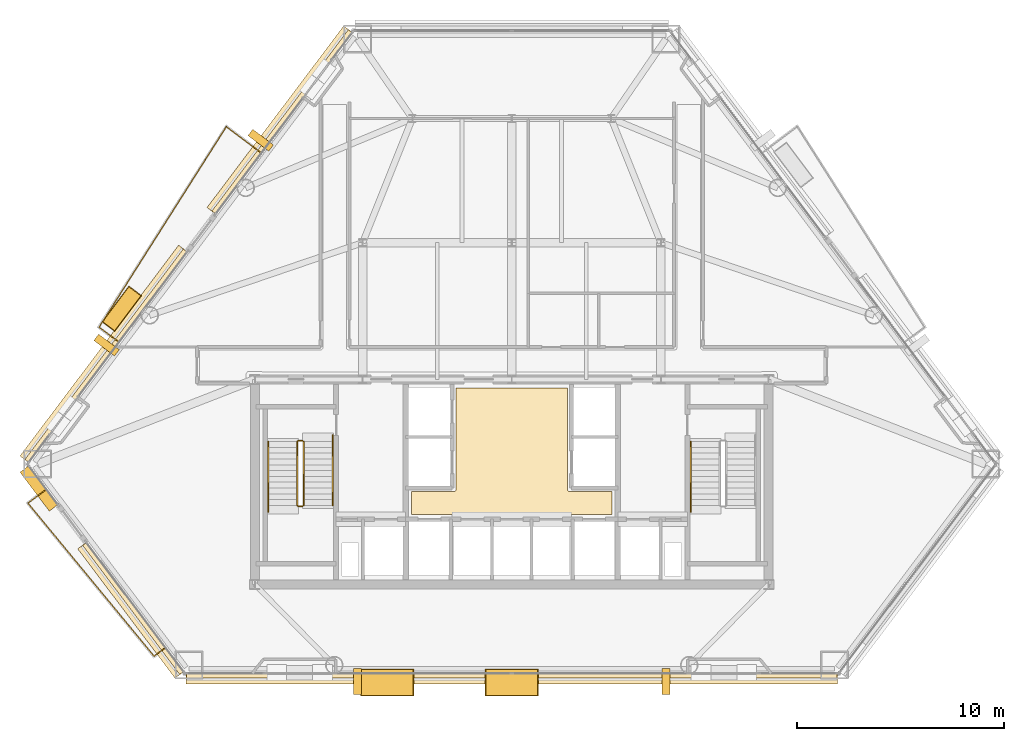
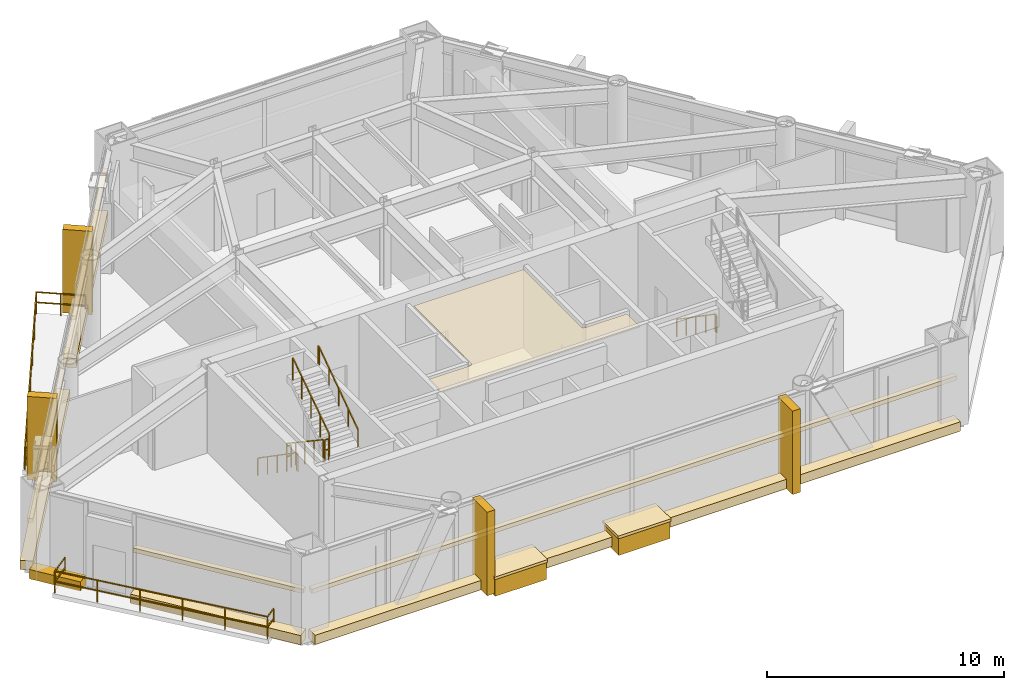
# One storey, part 9 of 10: 20 coverings, 9 railings.
"""IFC4 building model written with IfcOpenShell, lengths in metres."""

import ifcopenshell
import ifcopenshell.guid

model = None  # the IFC model being written
_history = None  # IfcOwnerHistory: only IFC2X3 demands one
_inside = {}  # id of a spatial element -> (the spatial element, [elements in it])
_under = {}  # id of a project, library or spatial element -> (it, [spatial elements below it])
_declared = {}  # id of a project -> (the project, [libraries it declares])
_typed = {}  # id of a type object -> (the type object, [elements of that type])
_made_of = {}  # id of a material, layer set ... -> (it, [elements and type objects made of it])


def new_model(schema):
    """Start an empty IFC model of exactly this schema.

    Asked for "IFC4X3", IfcOpenShell would pick the latest addendum, in which some entities
    have other attributes; the version numbers below select the first issue.
    IFC2X3 requires an IfcOwnerHistory on every rooted entity: one is made here for all.
    """
    global model, _history
    if schema == "IFC4X3":
        model = ifcopenshell.file(schema_version=(4, 3, 0, 0))
    else:
        model = ifcopenshell.file(schema=schema)
    _inside.clear()
    _under.clear()
    _declared.clear()
    _typed.clear()
    _made_of.clear()
    _history = None
    if model.schema == "IFC2X3":
        org = make("IfcOrganization", Name="unknown")
        user = make(
            "IfcPersonAndOrganization",
            ThePerson=make("IfcPerson", FamilyName="unknown"),
            TheOrganization=org,
        )
        app = make(
            "IfcApplication",
            ApplicationDeveloper=org,
            Version="unknown",
            ApplicationFullName="unknown",
            ApplicationIdentifier="unknown",
        )
        _history = make(
            "IfcOwnerHistory",
            OwningUser=user,
            OwningApplication=app,
            ChangeAction="ADDED",
            CreationDate=0,
        )
    return model


def make(cls, **values):
    """One entity of the class cls with the attributes given. An attribute that is None is left unset."""
    return model.create_entity(
        cls, **{name: value for name, value in values.items() if value is not None}
    )


def rooted(cls, **values):
    """An entity with a GlobalId (a new one), such as an element, a storey or a relation."""
    return make(cls, GlobalId=ifcopenshell.guid.new(), OwnerHistory=_history, **values)


def si_unit(unit_type, name, prefix=None):
    """IfcSIUnit, for example si_unit("LENGTHUNIT", "METRE", prefix="MILLI")."""
    return make("IfcSIUnit", UnitType=unit_type, Prefix=prefix, Name=name)


def assignment(units):
    """IfcUnitAssignment: the units of a project."""
    return None if units is None else make("IfcUnitAssignment", Units=units)


def point(xyz):
    """IfcCartesianPoint."""
    return None if xyz is None else make("IfcCartesianPoint", Coordinates=xyz)


def direction(xyz):
    """IfcDirection."""
    return None if xyz is None else make("IfcDirection", DirectionRatios=xyz)


def frame(location, z_axis=None, x_axis=None):
    """IfcAxis2Placement3D, a coordinate frame: its origin and axes. An axis left out is left unset."""
    return make(
        "IfcAxis2Placement3D",
        Location=point(location),
        Axis=direction(z_axis),
        RefDirection=direction(x_axis),
    )


def frame_2d(location, x_axis=None):
    """IfcAxis2Placement2D, a coordinate frame in the plane: its origin and x axis."""
    return make(
        "IfcAxis2Placement2D", Location=point(location), RefDirection=direction(x_axis)
    )


def origin():
    """The frame at (0, 0, 0) with its axes left unset."""
    return frame((0.0, 0.0, 0.0))


def origin_2d():
    """The frame at (0, 0) in the plane with its x axis left unset."""
    return frame_2d((0.0, 0.0))


def place(relative_to, where):
    """IfcLocalPlacement: puts the frame where relative to a parent placement (None: the world)."""
    return make(
        "IfcLocalPlacement", PlacementRelTo=relative_to, RelativePlacement=where
    )


def context(
    kind, dimensions, precision=None, world=None, true_north=None, identifier=None
):
    """IfcGeometricRepresentationContext, for example the 3D "Model" context."""
    return make(
        "IfcGeometricRepresentationContext",
        ContextIdentifier=identifier,
        ContextType=kind,
        CoordinateSpaceDimension=dimensions,
        Precision=precision,
        WorldCoordinateSystem=world,
        TrueNorth=true_north,
    )


def subcontext(parent, identifier, kind, view, scale=None):
    """IfcGeometricRepresentationSubContext, for example "Body" below "Model"."""
    return make(
        "IfcGeometricRepresentationSubContext",
        ContextIdentifier=identifier,
        ContextType=kind,
        ParentContext=parent,
        TargetScale=scale,
        TargetView=view,
    )


def project(units=None, contexts=None):
    """IfcProject with its units and contexts."""
    return rooted(
        "IfcProject",
        Name="project",
        RepresentationContexts=contexts,
        UnitsInContext=assignment(units),
    )


def spatial(cls, under=None, at=None, **own):
    """A site, building, storey or space (cls), placed at a placement, below another one or the project."""
    s = rooted(cls, ObjectPlacement=at, **own)
    if under is not None:
        _under.setdefault(under.id(), (under, []))[1].append(s)
    return s


def polyline(points):
    """IfcPolyline through the points."""
    return make("IfcPolyline", Points=[point(p) for p in points])


def profile(cls, at=None, kind="AREA", **sizes):
    """A parametric profile (cls). Its sizes go by their IFC names, for example OverallWidth=200.0."""
    return make(cls, ProfileType=kind, Position=at, **sizes)


def rectangle(**sizes):
    """IfcRectangleProfileDef."""
    return profile("IfcRectangleProfileDef", **sizes)


def outline(outer, holes=None, kind="AREA"):
    """IfcArbitraryClosedProfileDef: a profile drawn as a closed curve; with holes, ...WithVoids."""
    if holes is None:
        return make("IfcArbitraryClosedProfileDef", ProfileType=kind, OuterCurve=outer)
    return make(
        "IfcArbitraryProfileDefWithVoids",
        ProfileType=kind,
        OuterCurve=outer,
        InnerCurves=holes,
    )


def extrude(swept, where, along, depth):
    """IfcExtrudedAreaSolid: the profile swept, set in the frame where, extruded along a direction by depth."""
    return make(
        "IfcExtrudedAreaSolid",
        SweptArea=swept,
        Position=where,
        ExtrudedDirection=direction(along),
        Depth=depth,
    )


def shape(context_of_items, identifier, shape_type, items):
    """IfcShapeRepresentation: the items that make up one representation, for example the "Body"."""
    return make(
        "IfcShapeRepresentation",
        ContextOfItems=context_of_items,
        RepresentationIdentifier=identifier,
        RepresentationType=shape_type,
        Items=items,
    )


def material(Name=None, Category=None):
    """IfcMaterial."""
    return make("IfcMaterial", Name=Name, Category=Category)


def layer(
    of_material, thickness, ventilated=None, Name=None, Category=None, Priority=None
):
    """IfcMaterialLayer: one layer of a wall or slab, of a material (None: an air gap)."""
    return make(
        "IfcMaterialLayer",
        Material=of_material,
        LayerThickness=thickness,
        IsVentilated=ventilated,
        Name=Name,
        Category=Category,
        Priority=Priority,
    )


def layer_set(layers, Name=None):
    """IfcMaterialLayerSet."""
    return make("IfcMaterialLayerSet", MaterialLayers=layers, LayerSetName=Name)


def made_of(thing, what):
    """Note that an element or type object is made of a material, layer set ...; save() writes the relation."""
    if what is not None:
        _made_of.setdefault(what.id(), (what, []))[1].append(thing)
    return thing


def type_object(cls, material=None, **own):
    """A type object (cls), such as IfcWallType, which elements share."""
    return made_of(rooted(cls, **own), material)


def element(
    cls,
    number,
    at=None,
    inside=None,
    cuts=None,
    type_object=None,
    material=None,
    context=None,
    identifier="Body",
    shape_type=None,
    held_by="IfcProductDefinitionShape",
    body=None,
    shapes=None,
    **own,
):
    """One element of the class cls, such as IfcWall. Its Tag is "e" and its number.

    at: its placement. inside: the storey or other place that contains it. cuts: it is an
    opening in that element (IfcRelVoidsElement). A single representation is given by context,
    identifier, shape_type and body (its items); several are given by shapes. held_by: the class
    of the entity that holds the representations. save() writes the other relations.
    """
    e = rooted(cls, Tag="e%d" % number, ObjectPlacement=at, **own)
    if body is not None:
        shapes = [shape(context, identifier, shape_type, body)]
    if shapes is not None:
        e.Representation = make(held_by, Representations=shapes)
    if inside is not None:
        _inside.setdefault(inside.id(), (inside, []))[1].append(e)
    if cuts is not None:
        rooted(
            "IfcRelVoidsElement", RelatingBuildingElement=cuts, RelatedOpeningElement=e
        )
    if type_object is not None:
        _typed.setdefault(type_object.id(), (type_object, []))[1].append(e)
    return made_of(e, material)


def aggregate(whole, parts):
    """IfcRelAggregates: a whole, such as a stair, and the parts it consists of."""
    return rooted("IfcRelAggregates", RelatingObject=whole, RelatedObjects=parts)


def save(model, path):
    """Write the relations noted so far, then the file.

    IfcRelAggregates (storeys below a building ...), IfcRelContainedInSpatialStructure (elements
    in a storey), IfcRelDefinesByType, IfcRelAssociatesMaterial and IfcRelDeclares: one each for
    every whole, place, type object, material and project.
    """
    for whole, parts in _under.values():
        aggregate(whole, parts)
    for where, things in _inside.values():
        rooted(
            "IfcRelContainedInSpatialStructure",
            RelatedElements=things,
            RelatingStructure=where,
        )
    for kind, things in _typed.values():
        rooted("IfcRelDefinesByType", RelatedObjects=things, RelatingType=kind)
    for what, things in _made_of.values():
        rooted("IfcRelAssociatesMaterial", RelatedObjects=things, RelatingMaterial=what)
    for by, libraries in _declared.values():
        rooted("IfcRelDeclares", RelatingContext=by, RelatedDefinitions=libraries)
    model.write(path)


model = new_model("IFC4")

# Units and contexts
model_context = context("Model", 3, precision=1e-05, world=origin(), true_north=direction((0.0, 1.0)))
body_context = subcontext(model_context, "Body", "Model", "MODEL_VIEW")
ifc_project = project(units=[si_unit("LENGTHUNIT", "METRE"), si_unit("AREAUNIT", "SQUARE_METRE"), si_unit("VOLUMEUNIT", "CUBIC_METRE"), si_unit("PLANEANGLEUNIT", "RADIAN"), si_unit("MASSUNIT", "GRAM", prefix="KILO")], contexts=[model_context])

# Site, building, storey
site_placement = place(None, origin())
site = spatial("IfcSite", under=ifc_project, at=site_placement, CompositionType="ELEMENT")
building_placement = place(site_placement, origin())
building = spatial("IfcBuilding", under=site, at=building_placement, Name="Talgorran Terracotta Tower", CompositionType="ELEMENT")
storey_placement = place(building_placement, frame((0.0, 0.0, 60.300048828125)))
storey = spatial("IfcBuildingStorey", under=building, at=storey_placement, Name="L15", CompositionType="ELEMENT", Elevation=60.300048828125)

# Coverings
ifc_material_1 = material(Name="Kiln-Fired Terracotta Ochre Ceramic", Category="masonry")
ifc_layer_1 = layer(ifc_material_1, 0.179931640625, Name="COV_BAGUETTE_TERRACOTTA_SCREEN")
ifc_layer_set_1 = layer_set([ifc_layer_1], Name="Kiln-Fired Terracotta Ochre Ceramic")
covering_type_1 = type_object("IfcCoveringType", Name="COV_BAGUETTE_TERRACOTTA_SCREEN", PredefinedType="CLADDING", material=ifc_layer_set_1)
covering_1_placement = place(storey_placement, frame((-18.27001953125, -15.248779296875, 2.41015625), z_axis=(0.0, 0.0, 1.0), x_axis=(0.601438608227, -0.79891902001, 0.0)))
element("IfcCovering", 1, at=covering_1_placement, inside=storey, type_object=covering_type_1, Name="L15 Terracotta Baguette Solar Screen Assembly F11", PredefinedType="CLADDING", context=body_context, shape_type="SweptSolid", body=[
    extrude(rectangle(XDim=7.796875, YDim=0.260009765625, at=origin_2d()), origin(), (0.0, 0.0, 1.0), 0.219970703125),
])
covering_2_placement = place(storey_placement, frame((0.0, -18.4912109375, 2.41015625), z_axis=(0.0, 0.0, 1.0), x_axis=(1.0, 0.0, 0.0)))
element("IfcCovering", 2, at=covering_2_placement, inside=storey, type_object=covering_type_1, Name="L15 Terracotta Baguette Solar Screen Assembly F1", PredefinedType="CLADDING", context=body_context, shape_type="SweptSolid", body=[
    extrude(rectangle(XDim=31.418212890625, YDim=0.260009765625, at=origin_2d()), origin(), (0.0, 0.0, 1.0), 0.219970703125),
])
covering_3_placement = place(storey_placement, frame((-11.076904296875, 8.230224609375, 2.41015625), z_axis=(0.0, 0.0, 1.0), x_axis=(-0.601438608227, -0.79891902001, 0.0)))
element("IfcCovering", 3, at=covering_3_placement, inside=storey, type_object=covering_type_1, Name="L15 Terracotta Baguette Solar Screen Assembly F60", PredefinedType="CLADDING", context=body_context, shape_type="SweptSolid", body=[
    extrude(rectangle(XDim=10.952880859375, YDim=0.260009765625, at=origin_2d()), origin(), (0.0, 0.0, 1.0), 0.219970703125),
])
covering_4_placement = place(storey_placement, frame((-19.576904296875, -3.060546875, 2.41015625), z_axis=(0.0, 0.0, 1.0), x_axis=(-0.601438608227, -0.79891902001, 0.0)))
element("IfcCovering", 4, at=covering_4_placement, inside=storey, type_object=covering_type_1, Name="L15 Terracotta Baguette Solar Screen Assembly F61", PredefinedType="CLADDING", context=body_context, shape_type="SweptSolid", body=[
    extrude(rectangle(XDim=12.712158203125, YDim=0.260009765625, at=origin_2d()), origin(), (0.0, 0.0, 1.0), 0.219970703125),
])
ifc_material_2 = material(Name="Flush Moisture-Resistant Plaster")
ifc_layer_2 = layer(ifc_material_2, 0.01806640625, Name="COV_CEIL_PLASTER")
ifc_layer_set_2 = layer_set([ifc_layer_2], Name="Flush Moisture-Resistant Plaster")
covering_type_2 = type_object("IfcCoveringType", Name="COV_CEIL_PLASTER", PredefinedType="CEILING", material=ifc_layer_set_2)
covering_5_placement = place(storey_placement, frame((0.0, 0.0, 4.159912109375)))
element("IfcCovering", 5, at=covering_5_placement, inside=storey, type_object=covering_type_2, Name="CEIL-L15-1", PredefinedType="CEILING", context=body_context, shape_type="SweptSolid", body=[
    extrude(outline(polyline([(-4.830078125, -9.6201171875), (-2.800048828125, -9.6201171875), (-2.7880859375, -9.619384765625), (-2.776611328125, -9.61767578125), (-2.76513671875, -9.61474609375), (-2.754150390625, -9.61083984375), (-2.743408203125, -9.605712890625), (-2.7333984375, -9.599853515625), (-2.723876953125, -9.5927734375), (-2.715087890625, -9.5849609375), (-2.707275390625, -9.576171875), (-2.7001953125, -9.566650390625), (-2.694091796875, -9.556640625), (-2.689208984375, -9.5458984375), (-2.685302734375, -9.534912109375), (-2.682373046875, -9.5234375), (-2.6806640625, -9.51171875), (-2.679931640625, -9.5), (-2.679931640625, -4.6201171875), (2.679931640625, -4.6201171875), (2.679931640625, -9.5), (2.6806640625, -9.51171875), (2.682373046875, -9.5234375), (2.685302734375, -9.534912109375), (2.689208984375, -9.5458984375), (2.694091796875, -9.556640625), (2.7001953125, -9.566650390625), (2.707275390625, -9.576171875), (2.715087890625, -9.5849609375), (2.723876953125, -9.5927734375), (2.7333984375, -9.599853515625), (2.743408203125, -9.605712890625), (2.754150390625, -9.61083984375), (2.76513671875, -9.61474609375), (2.776611328125, -9.61767578125), (2.7880859375, -9.619384765625), (2.800048828125, -9.6201171875), (4.830078125, -9.6201171875), (4.830078125, -10.72998046875), (-4.830078125, -10.72998046875), (-4.830078125, -9.6201171875)])), origin(), (0.0, 0.0, 1.0), 0.02001953125),
])
ifc_material_3 = material(Name="Honed Limestone and Terracotta Planter", Category="masonry")
ifc_layer_3 = layer(ifc_material_3, 0.1201171875, Name="COV_PLANTER_BOX")
ifc_layer_set_3 = layer_set([ifc_layer_3], Name="Honed Limestone and Terracotta Planter")
covering_type_3 = type_object("IfcCoveringType", Name="COV_PLANTER_BOX", PredefinedType="CLADDING", material=ifc_layer_set_3)
for number, where, z_axis, x_axis, name in (
    (6, (-6.018798828125, -18.8310546875, -0.179931640625), (0.0, 0.0, 1.0), (1.0, 0.0, 0.0), "L15 Staggered South Facade Planter Box 1"),
    (7, (0.0, -18.8310546875, -0.179931640625), (0.0, 0.0, 1.0), (1.0, 0.0, 0.0), "L15 Staggered South Facade Planter Box 2"),
):
    element("IfcCovering", number, at=place(storey_placement, frame(where, z_axis=z_axis, x_axis=x_axis)), inside=storey, type_object=covering_type_3, Name=name, PredefinedType="CLADDING", context=body_context, shape_type="SweptSolid", body=[
        extrude(rectangle(XDim=2.5, YDim=1.25, at=origin_2d()), origin(), (0.0, 0.0, 1.0), 0.919921875),
    ])
covering_6_placement = place(storey_placement, frame((-18.828369140625, -0.785888671875, -0.02001953125), z_axis=(0.0, 0.0, 1.0), x_axis=(-0.601438608227, -0.79891902001, 0.0)))
element("IfcCovering", 8, at=covering_6_placement, inside=storey, type_object=covering_type_3, Name="L15 Staggered Balcony Planter Box BAL-NW", PredefinedType="CLADDING", context=body_context, shape_type="SweptSolid", body=[
    extrude(rectangle(XDim=2.10009765625, YDim=0.719970703125, at=origin_2d()), origin(), (0.0, 0.0, 1.0), 0.860107421875),
])
ifc_material_4 = material(Name="Kiln-Fired Terracotta Planter Rim", Category="masonry")
ifc_layer_4 = layer(ifc_material_4, 0.10009765625, Name="COV_PLANTER_RIM")
ifc_layer_set_4 = layer_set([ifc_layer_4], Name="Kiln-Fired Terracotta Planter Rim")
covering_type_4 = type_object("IfcCoveringType", Name="COV_PLANTER_RIM", PredefinedType="CLADDING", material=ifc_layer_set_4)
for number, where, z_axis, x_axis, name in (
    (9, (-6.018798828125, -18.8310546875, 0.7099609375), (0.0, 0.0, 1.0), (1.0, 0.0, 0.0), "L15 South Planter Terracotta Rim 1"),
    (10, (0.0, -18.8310546875, 0.7099609375), (0.0, 0.0, 1.0), (1.0, 0.0, 0.0), "L15 South Planter Terracotta Rim 2"),
):
    element("IfcCovering", number, at=place(storey_placement, frame(where, z_axis=z_axis, x_axis=x_axis)), inside=storey, type_object=covering_type_4, Name=name, PredefinedType="CLADDING", context=body_context, shape_type="SweptSolid", body=[
        extrude(rectangle(XDim=2.580078125, YDim=1.320068359375, at=origin_2d()), origin(), (0.0, 0.0, 1.0), 0.139892578125),
    ])
covering_7_placement = place(storey_placement, frame((-18.828369140625, -0.785888671875, 0.7998046875), z_axis=(0.0, 0.0, 1.0), x_axis=(-0.601438608227, -0.79891902001, 0.0)))
element("IfcCovering", 11, at=covering_7_placement, inside=storey, type_object=covering_type_4, Name="L15 Balcony Planter Terracotta Rim BAL-NW", PredefinedType="CLADDING", context=body_context, shape_type="SweptSolid", body=[
    extrude(rectangle(XDim=2.179931640625, YDim=0.780029296875, at=origin_2d()), origin(), (0.0, 0.0, 1.0), 0.1201171875),
])
ifc_material_5 = material(Name="Honed Limestone Cladding", Category="masonry")
ifc_layer_5 = layer(ifc_material_5, 0.094970703125, Name="COV_PORTAL_LIME")
ifc_layer_set_5 = layer_set([ifc_layer_5], Name="Honed Limestone Cladding")
covering_type_5 = type_object("IfcCoveringType", Name="COV_PORTAL_LIME", PredefinedType="CLADDING", material=ifc_layer_set_5)
for number, where, z_axis, x_axis, name in (
    (12, (-7.4443359375, -18.791015625, -0.05029296875), (0.0, 0.0, 1.0), (1.0, 0.0, 0.0), "L15 White Striped Portal Fin F1-1"),
    (13, (-12.1181640625, 7.34619140625, -0.05029296875), (0.0, 0.0, 1.0), (-0.601438608227, -0.79891902001, 0.0), "L15 White Striped Portal Fin F5-1"),
):
    element("IfcCovering", number, at=place(storey_placement, frame(where, z_axis=z_axis, x_axis=x_axis)), inside=storey, type_object=covering_type_5, Name=name, PredefinedType="CLADDING", context=body_context, shape_type="SweptSolid", body=[
        extrude(rectangle(XDim=0.3798828125, YDim=1.25, at=origin_2d()), origin(), (0.0, 0.0, 1.0), 4.300048828125),
    ])
ifc_material_6 = material(Name="Kiln-Fired Terracotta Cladding", Category="masonry")
ifc_layer_6 = layer(ifc_material_6, 0.090087890625, Name="COV_PORTAL_TERRA")
ifc_layer_set_6 = layer_set([ifc_layer_6], Name="Kiln-Fired Terracotta Cladding")
covering_type_6 = type_object("IfcCoveringType", Name="COV_PORTAL_TERRA", PredefinedType="CLADDING", material=ifc_layer_set_6)
covering_8_placement = place(storey_placement, frame((-22.810546875, -9.449951171875, -0.0400390625), z_axis=(0.0, 0.0, 1.0), x_axis=(0.601438608227, -0.79891902001, 0.0)))
element("IfcCovering", 14, at=covering_8_placement, inside=storey, type_object=covering_type_6, Name="L15 Striped Postmodern Portal Cladding Band F10", PredefinedType="CLADDING", context=body_context, shape_type="SweptSolid", body=[
    extrude(rectangle(XDim=2.3505859375, YDim=0.56005859375, at=origin_2d()), origin(), (0.0, 0.0, 1.0), 0.47998046875),
])
covering_9_placement = place(storey_placement, frame((-18.381591796875, -15.3330078125, -0.0400390625), z_axis=(0.0, 0.0, 1.0), x_axis=(0.601438608227, -0.79891902001, 0.0)))
element("IfcCovering", 15, at=covering_9_placement, inside=storey, type_object=covering_type_6, Name="L15 Striped Postmodern Portal Cladding Band F11", PredefinedType="CLADDING", context=body_context, shape_type="SweptSolid", body=[
    extrude(rectangle(XDim=7.81689453125, YDim=0.56005859375, at=origin_2d()), origin(), (0.0, 0.0, 1.0), 0.47998046875),
])
covering_10_placement = place(storey_placement, frame((0.0, -18.631103515625, -0.0400390625), z_axis=(0.0, 0.0, 1.0), x_axis=(1.0, 0.0, 0.0)))
element("IfcCovering", 16, at=covering_10_placement, inside=storey, type_object=covering_type_6, Name="L15 Striped Postmodern Portal Cladding Band F1", PredefinedType="CLADDING", context=body_context, shape_type="SweptSolid", body=[
    extrude(rectangle(XDim=31.438232421875, YDim=0.56005859375, at=origin_2d()), origin(), (0.0, 0.0, 1.0), 0.47998046875),
])
covering_11_placement = place(storey_placement, frame((-11.18896484375, 8.314453125, -0.0400390625), z_axis=(0.0, 0.0, 1.0), x_axis=(-0.601438608227, -0.79891902001, 0.0)))
element("IfcCovering", 17, at=covering_11_placement, inside=storey, type_object=covering_type_6, Name="L15 Striped Postmodern Portal Cladding Band F60", PredefinedType="CLADDING", context=body_context, shape_type="SweptSolid", body=[
    extrude(rectangle(XDim=10.972900390625, YDim=0.56005859375, at=origin_2d()), origin(), (0.0, 0.0, 1.0), 0.47998046875),
])
covering_12_placement = place(storey_placement, frame((-19.688720703125, -2.976318359375, -0.0400390625), z_axis=(0.0, 0.0, 1.0), x_axis=(-0.601438608227, -0.79891902001, 0.0)))
element("IfcCovering", 18, at=covering_12_placement, inside=storey, type_object=covering_type_6, Name="L15 Striped Postmodern Portal Cladding Band F61", PredefinedType="CLADDING", context=body_context, shape_type="SweptSolid", body=[
    extrude(rectangle(XDim=12.732177734375, YDim=0.56005859375, at=origin_2d()), origin(), (0.0, 0.0, 1.0), 0.47998046875),
])
for number, where, z_axis, x_axis, name in (
    (19, (7.4443359375, -18.791015625, -0.05029296875), (0.0, 0.0, 1.0), (1.0, 0.0, 0.0), "L15 Terracotta Striped Portal Fin F1-2"),
    (20, (-19.5625, -2.54248046875, -0.05029296875), (0.0, 0.0, 1.0), (-0.601438608227, -0.79891902001, 0.0), "L15 Terracotta Striped Portal Fin F5-2"),
):
    element("IfcCovering", number, at=place(storey_placement, frame(where, z_axis=z_axis, x_axis=x_axis)), inside=storey, type_object=covering_type_6, Name=name, PredefinedType="CLADDING", context=body_context, shape_type="SweptSolid", body=[
        extrude(rectangle(XDim=0.3798828125, YDim=1.25, at=origin_2d()), origin(), (0.0, 0.0, 1.0), 4.300048828125),
    ])

# Railings
ifc_material_7 = material(Name="Laminated Glass and Stainless Steel 316", Category="steel")
railing_type_1 = type_object("IfcRailingType", Name="RL_BALCONY_1150", PredefinedType="BALUSTRADE", material=ifc_material_7)
railing_1_placement = place(storey_placement, frame((-12.100341796875, 6.738037109375, 0.0)))
element("IfcRailing", 21, at=railing_1_placement, inside=storey, type_object=railing_type_1, Name="RL-L15-BAL-BAL-NW", PredefinedType="BALUSTRADE", context=body_context, shape_type="SweptSolid", body=[
    extrude(rectangle(XDim=0.048095703125, YDim=0.048095703125, at=origin_2d()), frame((0.0, 0.0, 1.1259765625), z_axis=(-0.798925901042, 0.601429467722, 0.0), x_axis=(-0.601429467722, -0.798925901042, 0.0)), (0.0, 0.0, 1.0), 2.102783203125),
    extrude(rectangle(XDim=0.048095703125, YDim=0.048095703125, at=origin_2d()), frame((0.0, 0.0, 0.597900390625), z_axis=(-0.798925901042, 0.601429467722, 0.0), x_axis=(-0.601429467722, -0.798925901042, 0.0)), (0.0, 0.0, 1.0), 2.102783203125),
    extrude(rectangle(XDim=0.048095703125, YDim=0.048095703125, at=origin_2d()), frame((-1.679931640625, 1.2646484375, 1.1259765625), z_axis=(-0.535725754027, -0.84439203956, 0.0), x_axis=(0.84439203956, -0.535725754027, 0.0)), (0.0, 0.0, 1.0), 11.464111328125),
    extrude(rectangle(XDim=0.048095703125, YDim=0.048095703125, at=origin_2d()), frame((-1.679931640625, 1.2646484375, 0.597900390625), z_axis=(-0.535725754027, -0.84439203956, 0.0), x_axis=(0.84439203956, -0.535725754027, 0.0)), (0.0, 0.0, 1.0), 11.464111328125),
    extrude(rectangle(XDim=0.048095703125, YDim=0.048095703125, at=origin_2d()), frame((-7.821533203125, -8.41552734375, 1.1259765625), z_axis=(0.798962581656, -0.601380738895, 0.0), x_axis=(0.601380738895, 0.798962581656, 0.0)), (0.0, 0.0, 1.0), 1.1875),
    extrude(rectangle(XDim=0.048095703125, YDim=0.048095703125, at=origin_2d()), frame((-7.821533203125, -8.41552734375, 0.597900390625), z_axis=(0.798962581656, -0.601380738895, 0.0), x_axis=(0.601380738895, 0.798962581656, 0.0)), (0.0, 0.0, 1.0), 1.1875),
    extrude(rectangle(XDim=0.0419921875, YDim=0.0419921875, at=origin_2d()), origin(), (0.0, 0.0, 1.0), 1.101806640625),
    extrude(rectangle(XDim=0.0419921875, YDim=0.0419921875, at=origin_2d()), frame((-0.83984375, 0.63232421875, 0.0)), (0.0, 0.0, 1.0), 1.101806640625),
    extrude(rectangle(XDim=0.0419921875, YDim=0.0419921875, at=origin_2d()), frame((-1.679931640625, 1.2646484375, 0.0)), (0.0, 0.0, 1.0), 1.101806640625),
    extrude(rectangle(XDim=0.0419921875, YDim=0.0419921875, at=origin_2d()), frame((-2.70361328125, -0.3486328125, 0.0)), (0.0, 0.0, 1.0), 1.101806640625),
    extrude(rectangle(XDim=0.0419921875, YDim=0.0419921875, at=origin_2d()), frame((-3.72705078125, -1.962158203125, 0.0)), (0.0, 0.0, 1.0), 1.101806640625),
    extrude(rectangle(XDim=0.0419921875, YDim=0.0419921875, at=origin_2d()), frame((-4.750732421875, -3.575439453125, 0.0)), (0.0, 0.0, 1.0), 1.101806640625),
    extrude(rectangle(XDim=0.0419921875, YDim=0.0419921875, at=origin_2d()), frame((-5.7744140625, -5.188720703125, 0.0)), (0.0, 0.0, 1.0), 1.101806640625),
    extrude(rectangle(XDim=0.0419921875, YDim=0.0419921875, at=origin_2d()), frame((-6.7978515625, -6.80224609375, 0.0)), (0.0, 0.0, 1.0), 1.101806640625),
    extrude(rectangle(XDim=0.0419921875, YDim=0.0419921875, at=origin_2d()), frame((-7.821533203125, -8.41552734375, 0.0)), (0.0, 0.0, 1.0), 1.101806640625),
    extrude(rectangle(XDim=0.0419921875, YDim=0.0419921875, at=origin_2d()), frame((-6.872802734375, -9.129638671875, 0.0)), (0.0, 0.0, 1.0), 1.101806640625),
])
railing_2_placement = place(storey_placement, frame((-22.484619140625, -9.517333984375, 0.0)))
element("IfcRailing", 22, at=railing_2_placement, inside=storey, type_object=railing_type_1, Name="RL-L15-BAL-BAL-SW", PredefinedType="BALUSTRADE", context=body_context, shape_type="SweptSolid", body=[
    extrude(rectangle(XDim=0.048095703125, YDim=0.048095703125, at=origin_2d()), frame((0.0, 0.0, 1.1259765625), z_axis=(-0.798899808194, -0.601464127332, 0.0), x_axis=(0.601464127332, -0.798899808194, 0.0)), (0.0, 0.0, 1.0), 1.093017578125),
    extrude(rectangle(XDim=0.048095703125, YDim=0.048095703125, at=origin_2d()), frame((0.0, 0.0, 0.597900390625), z_axis=(-0.798899808194, -0.601464127332, 0.0), x_axis=(0.601464127332, -0.798899808194, 0.0)), (0.0, 0.0, 1.0), 1.093017578125),
    extrude(rectangle(XDim=0.048095703125, YDim=0.048095703125, at=origin_2d()), frame((-0.873291015625, -0.657470703125, 1.1259765625), z_axis=(0.6361128853, -0.771596006441, 0.0), x_axis=(0.771596006441, 0.6361128853, 0.0)), (0.0, 0.0, 1.0), 9.575927734375),
    extrude(rectangle(XDim=0.048095703125, YDim=0.048095703125, at=origin_2d()), frame((-0.873291015625, -0.657470703125, 0.597900390625), z_axis=(0.6361128853, -0.771596006441, 0.0), x_axis=(0.771596006441, 0.6361128853, 0.0)), (0.0, 0.0, 1.0), 9.575927734375),
    extrude(rectangle(XDim=0.048095703125, YDim=0.048095703125, at=origin_2d()), frame((5.218017578125, -8.046142578125, 1.1259765625), z_axis=(0.798862535449, 0.601513631979, 0.0), x_axis=(-0.601513631979, 0.798862535449, 0.0)), (0.0, 0.0, 1.0), 0.67041015625),
    extrude(rectangle(XDim=0.048095703125, YDim=0.048095703125, at=origin_2d()), frame((5.218017578125, -8.046142578125, 0.597900390625), z_axis=(0.798862535449, 0.601513631979, 0.0), x_axis=(-0.601513631979, 0.798862535449, 0.0)), (0.0, 0.0, 1.0), 0.67041015625),
    extrude(rectangle(XDim=0.0419921875, YDim=0.0419921875, at=origin_2d()), origin(), (0.0, 0.0, 1.0), 1.101806640625),
    extrude(rectangle(XDim=0.0419921875, YDim=0.0419921875, at=origin_2d()), frame((-0.873291015625, -0.657470703125, 0.0)), (0.0, 0.0, 1.0), 1.101806640625),
    extrude(rectangle(XDim=0.0419921875, YDim=0.0419921875, at=origin_2d()), frame((0.344970703125, -2.13525390625, 0.0)), (0.0, 0.0, 1.0), 1.101806640625),
    extrude(rectangle(XDim=0.0419921875, YDim=0.0419921875, at=origin_2d()), frame((1.563232421875, -3.613037109375, 0.0)), (0.0, 0.0, 1.0), 1.101806640625),
    extrude(rectangle(XDim=0.0419921875, YDim=0.0419921875, at=origin_2d()), frame((2.781494140625, -5.090576171875, 0.0)), (0.0, 0.0, 1.0), 1.101806640625),
    extrude(rectangle(XDim=0.0419921875, YDim=0.0419921875, at=origin_2d()), frame((3.999755859375, -6.568359375, 0.0)), (0.0, 0.0, 1.0), 1.101806640625),
    extrude(rectangle(XDim=0.0419921875, YDim=0.0419921875, at=origin_2d()), frame((5.218017578125, -8.046142578125, 0.0)), (0.0, 0.0, 1.0), 1.101806640625),
    extrude(rectangle(XDim=0.0419921875, YDim=0.0419921875, at=origin_2d()), frame((5.753662109375, -7.642822265625, 0.0)), (0.0, 0.0, 1.0), 1.101806640625),
])
ifc_material_8 = material(Name="Steel S355 (300PLUS)", Category="steel")
railing_type_2 = type_object("IfcRailingType", Name="RL_HANDRAIL_920", PredefinedType="HANDRAIL", material=ifc_material_8)
railing_3_placement = place(storey_placement, frame((-11.75, -7.199951171875, 0.1875)))
element("IfcRailing", 23, at=railing_3_placement, inside=storey, type_object=railing_type_2, Name="L15 ST-01 stair handrail 1", PredefinedType="HANDRAIL", context=body_context, shape_type="SweptSolid", body=[
    extrude(rectangle(XDim=0.048095703125, YDim=0.048095703125, at=origin_2d()), frame((0.0, 0.0, 0.89599609375), z_axis=(0.0, -0.82301009837, 0.568026740551), x_axis=(1.0, 0.0, 0.0)), (0.0, 0.0, 1.0), 3.961181640625),
    extrude(rectangle(XDim=0.048095703125, YDim=0.048095703125, at=origin_2d()), frame((0.0, -3.260009765625, 3.14599609375), z_axis=(0.0, -1.0, 0.0), x_axis=(1.0, 0.0, 0.0)), (0.0, 0.0, 1.0), 0.1201171875),
    extrude(rectangle(XDim=0.0419921875, YDim=0.0419921875, at=origin_2d()), origin(), (0.0, 0.0, 1.0), 0.871826171875),
    extrude(rectangle(XDim=0.0419921875, YDim=0.0419921875, at=origin_2d()), frame((0.0, -0.81494140625, 0.5625)), (0.0, 0.0, 1.0), 0.871826171875),
    extrude(rectangle(XDim=0.0419921875, YDim=0.0419921875, at=origin_2d()), frame((0.0, -1.6298828125, 1.125)), (0.0, 0.0, 1.0), 0.871826171875),
    extrude(rectangle(XDim=0.0419921875, YDim=0.0419921875, at=origin_2d()), frame((0.0, -2.445068359375, 1.6875)), (0.0, 0.0, 1.0), 0.871826171875),
    extrude(rectangle(XDim=0.0419921875, YDim=0.0419921875, at=origin_2d()), frame((0.0, -3.260009765625, 2.25)), (0.0, 0.0, 1.0), 0.871826171875),
    extrude(rectangle(XDim=0.0419921875, YDim=0.0419921875, at=origin_2d()), frame((0.0, -3.380126953125, 2.25)), (0.0, 0.0, 1.0), 0.871826171875),
])
railing_4_placement = place(storey_placement, frame((-8.64990234375, -10.280029296875, 2.4375)))
element("IfcRailing", 24, at=railing_4_placement, inside=storey, type_object=railing_type_2, Name="L15 ST-01 stair handrail 2", PredefinedType="HANDRAIL", context=body_context, shape_type="SweptSolid", body=[
    extrude(rectangle(XDim=0.048095703125, YDim=0.048095703125, at=origin_2d()), frame((0.0, 0.0, 0.89599609375), z_axis=(0.0, 0.82301009837, 0.568026740551), x_axis=(-1.0, 0.0, 0.0)), (0.0, 0.0, 1.0), 3.961181640625),
    extrude(rectangle(XDim=0.048095703125, YDim=0.048095703125, at=origin_2d()), frame((0.0, 3.260009765625, 3.14599609375), z_axis=(0.0, 1.0, 0.0), x_axis=(-1.0, 0.0, 0.0)), (0.0, 0.0, 1.0), 0.1201171875),
    extrude(rectangle(XDim=0.0419921875, YDim=0.0419921875, at=origin_2d()), origin(), (0.0, 0.0, 1.0), 0.871826171875),
    extrude(rectangle(XDim=0.0419921875, YDim=0.0419921875, at=origin_2d()), frame((0.0, 0.81494140625, 0.5625)), (0.0, 0.0, 1.0), 0.871826171875),
    extrude(rectangle(XDim=0.0419921875, YDim=0.0419921875, at=origin_2d()), frame((0.0, 1.6298828125, 1.125)), (0.0, 0.0, 1.0), 0.871826171875),
    extrude(rectangle(XDim=0.0419921875, YDim=0.0419921875, at=origin_2d()), frame((0.0, 2.445068359375, 1.6875)), (0.0, 0.0, 1.0), 0.871826171875),
    extrude(rectangle(XDim=0.0419921875, YDim=0.0419921875, at=origin_2d()), frame((0.0, 3.260009765625, 2.25)), (0.0, 0.0, 1.0), 0.871826171875),
    extrude(rectangle(XDim=0.0419921875, YDim=0.0419921875, at=origin_2d()), frame((0.0, 3.380126953125, 2.25)), (0.0, 0.0, 1.0), 0.871826171875),
])
railing_5_placement = place(storey_placement, frame((8.64990234375, -7.199951171875, 0.1875)))
element("IfcRailing", 25, at=railing_5_placement, inside=storey, type_object=railing_type_2, Name="L15 ST-02 stair handrail 1", PredefinedType="HANDRAIL", context=body_context, shape_type="SweptSolid", body=[
    extrude(rectangle(XDim=0.048095703125, YDim=0.048095703125, at=origin_2d()), frame((0.0, 0.0, 0.89599609375), z_axis=(0.0, -0.82301009837, 0.568026740551), x_axis=(1.0, 0.0, 0.0)), (0.0, 0.0, 1.0), 3.961181640625),
    extrude(rectangle(XDim=0.048095703125, YDim=0.048095703125, at=origin_2d()), frame((0.0, -3.260009765625, 3.14599609375), z_axis=(0.0, -1.0, 0.0), x_axis=(1.0, 0.0, 0.0)), (0.0, 0.0, 1.0), 0.1201171875),
    extrude(rectangle(XDim=0.0419921875, YDim=0.0419921875, at=origin_2d()), origin(), (0.0, 0.0, 1.0), 0.871826171875),
    extrude(rectangle(XDim=0.0419921875, YDim=0.0419921875, at=origin_2d()), frame((0.0, -0.81494140625, 0.5625)), (0.0, 0.0, 1.0), 0.871826171875),
    extrude(rectangle(XDim=0.0419921875, YDim=0.0419921875, at=origin_2d()), frame((0.0, -1.6298828125, 1.125)), (0.0, 0.0, 1.0), 0.871826171875),
    extrude(rectangle(XDim=0.0419921875, YDim=0.0419921875, at=origin_2d()), frame((0.0, -2.445068359375, 1.6875)), (0.0, 0.0, 1.0), 0.871826171875),
    extrude(rectangle(XDim=0.0419921875, YDim=0.0419921875, at=origin_2d()), frame((0.0, -3.260009765625, 2.25)), (0.0, 0.0, 1.0), 0.871826171875),
    extrude(rectangle(XDim=0.0419921875, YDim=0.0419921875, at=origin_2d()), frame((0.0, -3.380126953125, 2.25)), (0.0, 0.0, 1.0), 0.871826171875),
])
railing_type_3 = type_object("IfcRailingType", Name="RL_STAIR_GUARD", PredefinedType="GUARDRAIL", material=ifc_material_8)
railing_6_placement = place(storey_placement, frame((-10.35009765625, -7.199951171875, 0.1875)))
element("IfcRailing", 26, at=railing_6_placement, inside=storey, type_object=railing_type_3, Name="L15 ST-01 stair guard 1", PredefinedType="GUARDRAIL", context=body_context, shape_type="SweptSolid", body=[
    extrude(rectangle(XDim=0.048095703125, YDim=0.048095703125, at=origin_2d()), frame((0.0, 0.0, 1.15576171875), z_axis=(0.0, -0.830913701846, 0.55640131208), x_axis=(1.0, 0.0, 0.0)), (0.0, 0.0, 1.0), 3.706787109375),
    extrude(rectangle(XDim=0.0419921875, YDim=0.0419921875, at=origin_2d()), origin(), (0.0, 0.0, 1.0), 1.1318359375),
    extrude(rectangle(XDim=0.0419921875, YDim=0.0419921875, at=origin_2d()), frame((0.0, -0.77001953125, 0.515625)), (0.0, 0.0, 1.0), 1.1318359375),
    extrude(rectangle(XDim=0.0419921875, YDim=0.0419921875, at=origin_2d()), frame((0.0, -1.5400390625, 1.03125)), (0.0, 0.0, 1.0), 1.1318359375),
    extrude(rectangle(XDim=0.0419921875, YDim=0.0419921875, at=origin_2d()), frame((0.0, -2.31005859375, 1.546875)), (0.0, 0.0, 1.0), 1.1318359375),
    extrude(rectangle(XDim=0.0419921875, YDim=0.0419921875, at=origin_2d()), frame((0.0, -3.080078125, 2.0625)), (0.0, 0.0, 1.0), 1.1318359375),
])
railing_7_placement = place(storey_placement, frame((-10.300048828125, -10.330078125, 2.25)))
element("IfcRailing", 27, at=railing_7_placement, inside=storey, type_object=railing_type_3, Name="L15 ST-01 stair guard 2", PredefinedType="GUARDRAIL", context=body_context, shape_type="SweptSolid", body=[
    extrude(rectangle(XDim=0.048095703125, YDim=0.048095703125, at=origin_2d()), frame((0.0, 0.0, 1.15576171875), z_axis=(1.0, 0.0, 0.0), x_axis=(0.0, 1.0, 0.0)), (0.0, 0.0, 1.0), 0.199951171875),
    extrude(rectangle(XDim=0.048095703125, YDim=0.048095703125, at=origin_2d()), frame((0.0, 0.0, 0.613525390625), z_axis=(1.0, 0.0, 0.0), x_axis=(0.0, 1.0, 0.0)), (0.0, 0.0, 1.0), 0.199951171875),
    extrude(rectangle(XDim=0.0419921875, YDim=0.0419921875, at=origin_2d()), origin(), (0.0, 0.0, 1.0), 1.1318359375),
    extrude(rectangle(XDim=0.0419921875, YDim=0.0419921875, at=origin_2d()), frame((0.199951171875, 0.0, 0.0)), (0.0, 0.0, 1.0), 1.1318359375),
])
railing_8_placement = place(storey_placement, frame((-10.050048828125, -10.280029296875, 2.4375)))
element("IfcRailing", 28, at=railing_8_placement, inside=storey, type_object=railing_type_3, Name="L15 ST-01 stair guard 3", PredefinedType="GUARDRAIL", context=body_context, shape_type="SweptSolid", body=[
    extrude(rectangle(XDim=0.048095703125, YDim=0.048095703125, at=origin_2d()), frame((0.0, 0.0, 1.15576171875), z_axis=(0.0, 0.830913701846, 0.55640131208), x_axis=(-1.0, 0.0, 0.0)), (0.0, 0.0, 1.0), 3.706787109375),
    extrude(rectangle(XDim=0.0419921875, YDim=0.0419921875, at=origin_2d()), origin(), (0.0, 0.0, 1.0), 1.1318359375),
    extrude(rectangle(XDim=0.0419921875, YDim=0.0419921875, at=origin_2d()), frame((0.0, 0.77001953125, 0.515625)), (0.0, 0.0, 1.0), 1.1318359375),
    extrude(rectangle(XDim=0.0419921875, YDim=0.0419921875, at=origin_2d()), frame((0.0, 1.5400390625, 1.03125)), (0.0, 0.0, 1.0), 1.1318359375),
    extrude(rectangle(XDim=0.0419921875, YDim=0.0419921875, at=origin_2d()), frame((0.0, 2.31005859375, 1.546875)), (0.0, 0.0, 1.0), 1.1318359375),
    extrude(rectangle(XDim=0.0419921875, YDim=0.0419921875, at=origin_2d()), frame((0.0, 3.080078125, 2.0625)), (0.0, 0.0, 1.0), 1.1318359375),
])
railing_9_placement = place(storey_placement, frame((-10.300048828125, -7.14990234375, 0.0)))
element("IfcRailing", 29, at=railing_9_placement, inside=storey, type_object=railing_type_3, Name="L15 ST-01 stair guard 4", PredefinedType="GUARDRAIL", context=body_context, shape_type="SweptSolid", body=[
    extrude(rectangle(XDim=0.048095703125, YDim=0.048095703125, at=origin_2d()), frame((0.0, 0.0, 1.15576171875), z_axis=(1.0, 0.0, 0.0), x_axis=(0.0, 1.0, 0.0)), (0.0, 0.0, 1.0), 0.199951171875),
    extrude(rectangle(XDim=0.048095703125, YDim=0.048095703125, at=origin_2d()), frame((0.0, 0.0, 0.613525390625), z_axis=(1.0, 0.0, 0.0), x_axis=(0.0, 1.0, 0.0)), (0.0, 0.0, 1.0), 0.199951171875),
    extrude(rectangle(XDim=0.0419921875, YDim=0.0419921875, at=origin_2d()), origin(), (0.0, 0.0, 1.0), 1.1318359375),
    extrude(rectangle(XDim=0.0419921875, YDim=0.0419921875, at=origin_2d()), frame((0.199951171875, 0.0, 0.0)), (0.0, 0.0, 1.0), 1.1318359375),
])

save(model, "model.ifc")
